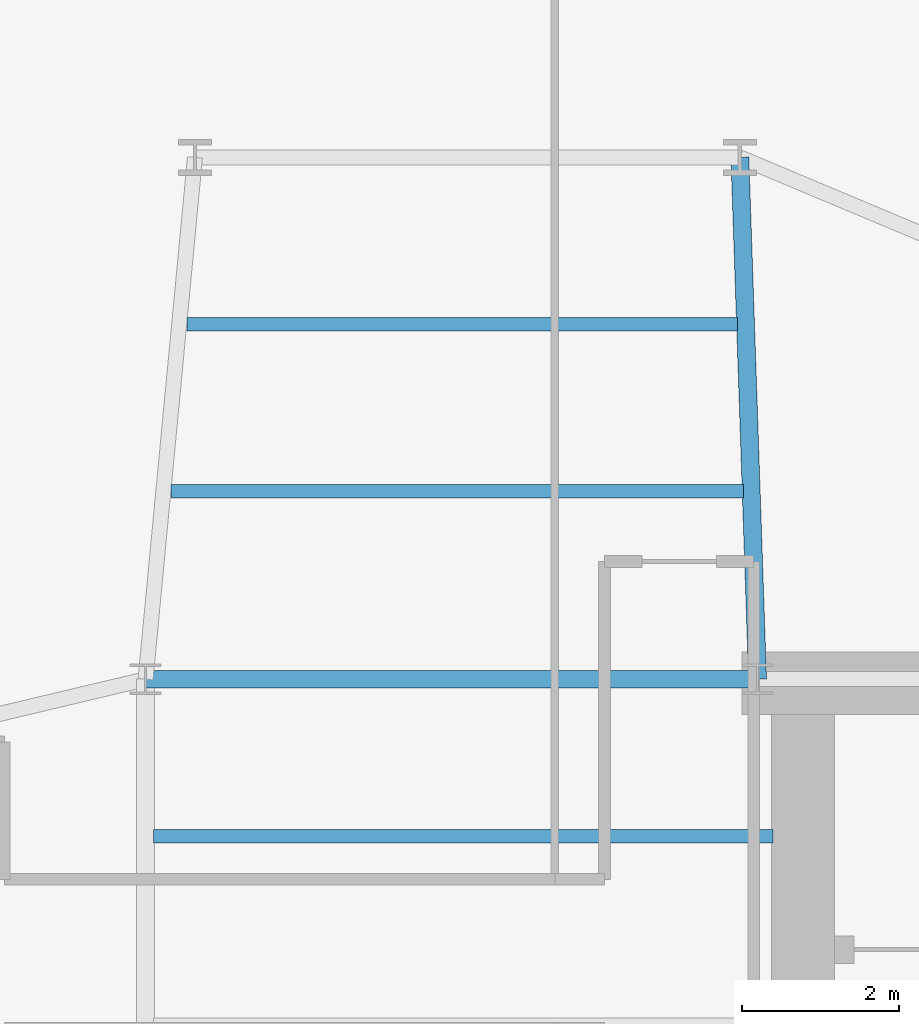
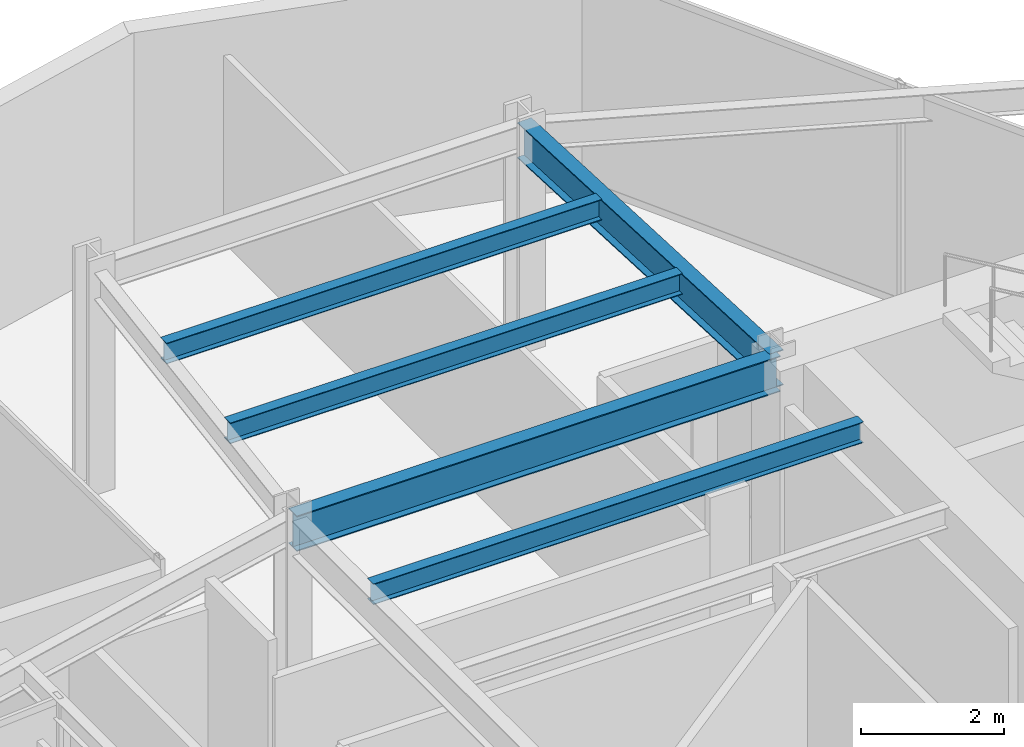
# One storey, part 11 of 26: 5 beams.
"""IFC4 building model written with IfcOpenShell, lengths in metres."""

from ifc_helpers import new_model, si_unit, direction, frame, origin, origin_2d, place, context, subcontext, project, spatial, i_section, extrude, material, material_profile, profile_set, type_object, element, save


model = new_model("IFC4")

# Units and contexts
model_context = context("Model", 3, precision=1e-05, world=origin(), true_north=direction((0.0, 1.0)))
body_context = subcontext(model_context, "Body", "Model", "MODEL_VIEW")
ifc_project = project(units=[si_unit("LENGTHUNIT", "METRE"), si_unit("AREAUNIT", "SQUARE_METRE"), si_unit("VOLUMEUNIT", "CUBIC_METRE"), si_unit("PLANEANGLEUNIT", "RADIAN"), si_unit("MASSUNIT", "GRAM", prefix="KILO")], contexts=[model_context])

# Site, building, storey
site_placement = place(None, origin())
site = spatial("IfcSite", under=ifc_project, at=site_placement, CompositionType="ELEMENT")
building_placement = place(site_placement, origin())
building = spatial("IfcBuilding", under=site, at=building_placement, Name="Veymaron Broadcast Tower", CompositionType="ELEMENT")
storey_placement = place(building_placement, frame((0.0, 0.0, 133.050048828125)))
storey = spatial("IfcBuildingStorey", under=building, at=storey_placement, Name="L30", CompositionType="ELEMENT", Elevation=133.050048828125)

# Beams
ifc_material = material(Name="Structural steel ASTM A992 Gr 50", Category="steel")
ifc_material_profile_1 = material_profile(ifc_material, i_section(OverallWidth=0.22802734375, OverallDepth=0.60791015625, WebThickness=0.01123046875, FlangeThickness=0.017333984375, at=origin_2d()), Name="W610X113")
ifc_profile_set_1 = profile_set([ifc_material_profile_1], Name="Structural steel ASTM A992 Gr 50")
beam_type_1 = type_object("IfcBeamType", Name="BM-FG2", PredefinedType="BEAM", material=ifc_profile_set_1)
beam_1_placement = place(storey_placement, frame((31.199951171875, 32.0, 3.505859375), z_axis=(1.0, 0.0, 0.0), x_axis=(0.0, 1.0, 0.0)))
element("IfcBeam", 1, at=beam_1_placement, inside=storey, type_object=beam_type_1, Name="L30 primary structural floor girder", PredefinedType="BEAM", context=body_context, shape_type="SweptSolid", body=[
    extrude(i_section(OverallWidth=0.22802734375, OverallDepth=0.60791015625, WebThickness=0.01123046875, FlangeThickness=0.017333984375, at=origin_2d()), origin(), (0.0, 0.0, 1.0), 7.800048828125),
])
beam_2_placement = place(storey_placement, frame((39.0, 32.0, 3.505859375), z_axis=(-0.033830392706, 0.999427588437, 0.0), x_axis=(-0.999427588437, -0.033830392706, 0.0)))
element("IfcBeam", 2, at=beam_2_placement, inside=storey, type_object=beam_type_1, Name="L30 primary structural floor girder", PredefinedType="BEAM", context=body_context, shape_type="SweptSolid", body=[
    extrude(i_section(OverallWidth=0.22802734375, OverallDepth=0.60791015625, WebThickness=0.01123046875, FlangeThickness=0.017333984375, at=origin_2d()), origin(), (0.0, 0.0, 1.0), 6.65380859375),
])
ifc_material_profile_2 = material_profile(ifc_material, i_section(OverallWidth=0.1708984375, OverallDepth=0.35498046875, WebThickness=0.007080078125, FlangeThickness=0.01171875, at=origin_2d()), Name="W360X51")
ifc_profile_set_2 = profile_set([ifc_material_profile_2], Name="Structural steel ASTM A992 Gr 50")
beam_type_2 = type_object("IfcBeamType", Name="BM-JS2", PredefinedType="JOIST", material=ifc_profile_set_2)
beam_3_placement = place(storey_placement, frame((31.52685546875, 34.39404296875, 3.632568359375), z_axis=(1.0, 0.0, 0.0), x_axis=(0.0, 1.0, 0.0)))
element("IfcBeam", 3, at=beam_3_placement, inside=storey, type_object=beam_type_2, Name="L30 Arm-B secondary joist 1", PredefinedType="JOIST", context=body_context, shape_type="SweptSolid", body=[
    extrude(i_section(OverallWidth=0.1708984375, OverallDepth=0.35498046875, WebThickness=0.007080078125, FlangeThickness=0.01171875, at=origin_2d()), origin(), (0.0, 0.0, 1.0), 7.292236328125),
])
beam_4_placement = place(storey_placement, frame((31.728515625, 36.52197265625, 3.632568359375), z_axis=(1.0, 0.0, 0.0), x_axis=(0.0, 1.0, 0.0)))
element("IfcBeam", 4, at=beam_4_placement, inside=storey, type_object=beam_type_2, Name="L30 Arm-B secondary joist 2", PredefinedType="JOIST", context=body_context, shape_type="SweptSolid", body=[
    extrude(i_section(OverallWidth=0.1708984375, OverallDepth=0.35498046875, WebThickness=0.007080078125, FlangeThickness=0.01171875, at=origin_2d()), origin(), (0.0, 0.0, 1.0), 7.0185546875),
])
beam_5_placement = place(storey_placement, frame((31.300048828125, 30.0, 3.632568359375), z_axis=(1.0, 0.0, 0.0), x_axis=(0.0, 1.0, 0.0)))
element("IfcBeam", 5, at=beam_5_placement, inside=storey, type_object=beam_type_2, Name="L30 Hub secondary joist 4", PredefinedType="JOIST", context=body_context, shape_type="SweptSolid", body=[
    extrude(i_section(OverallWidth=0.1708984375, OverallDepth=0.35498046875, WebThickness=0.007080078125, FlangeThickness=0.01171875, at=origin_2d()), origin(), (0.0, 0.0, 1.0), 7.89990234375),
])

save(model, "model.ifc")
